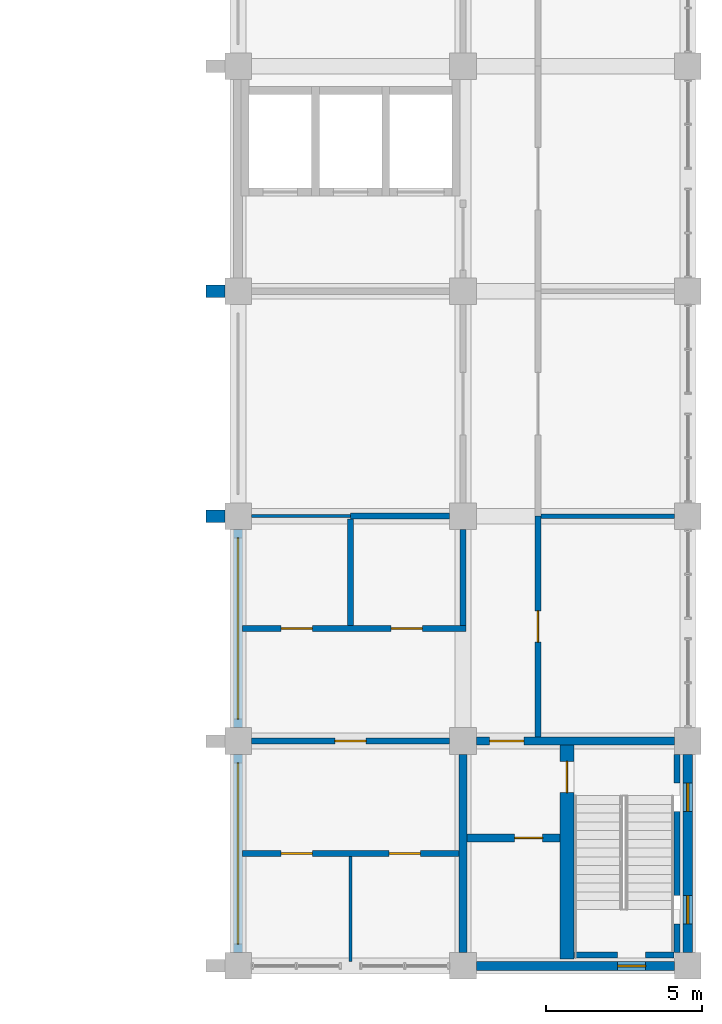
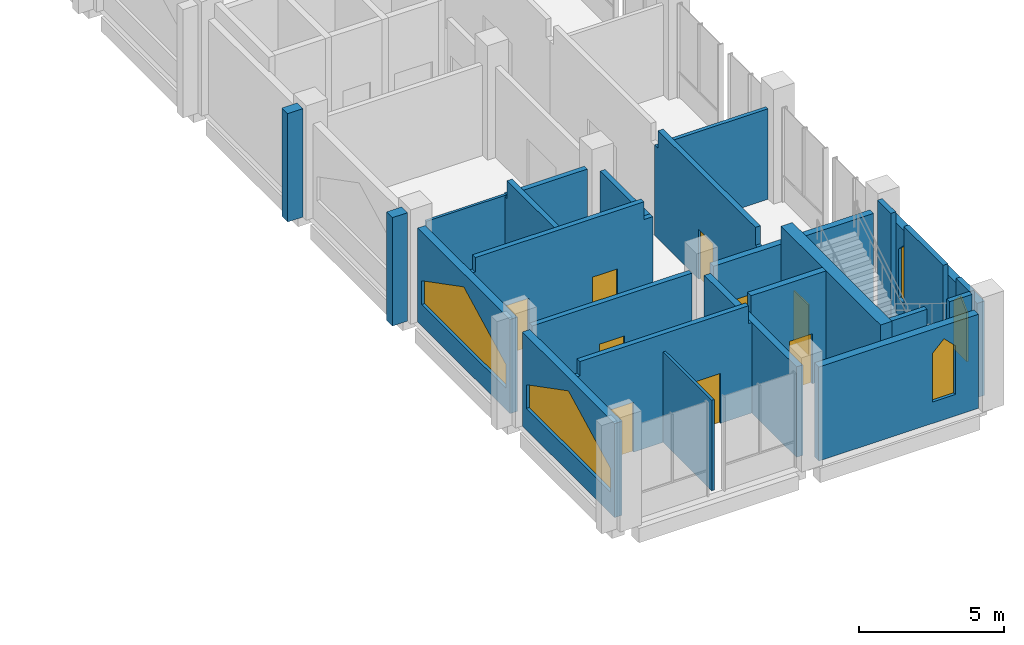
# One storey, part 34 of 40: 25 walls, 9 doors, 5 windows, 14 openings.
"""IFC4 building model written with IfcOpenShell, lengths in metres."""

from ifc_helpers import new_model, si_unit, direction, frame, frame_2d, origin, place, context, subcontext, project, spatial, polyline, rectangle, outline, extrude, material, layer, layer_set, type_object, element, fill, save


model = new_model("IFC4")

# Units and contexts
model_context = context("Model", 3, precision=1e-05, world=origin(), true_north=direction((0.0, 1.0)))
body_context = subcontext(model_context, "Body", "Model", "MODEL_VIEW")
ifc_project = project(units=[si_unit("LENGTHUNIT", "METRE"), si_unit("AREAUNIT", "SQUARE_METRE"), si_unit("VOLUMEUNIT", "CUBIC_METRE"), si_unit("PLANEANGLEUNIT", "RADIAN"), si_unit("MASSUNIT", "GRAM", prefix="KILO")], contexts=[model_context])

# Site, building, storey
site_placement = place(None, origin())
site = spatial("IfcSite", under=ifc_project, at=site_placement, CompositionType="ELEMENT")
building_placement = place(site_placement, origin())
building = spatial("IfcBuilding", under=site, at=building_placement, Name="Silangan Lancet Faculty of Sciences", CompositionType="ELEMENT")
storey_placement = place(building_placement, frame((0.0, 0.0, 16.800048828125)))
storey = spatial("IfcBuildingStorey", under=building, at=storey_placement, Name="L03", CompositionType="ELEMENT", Elevation=16.800048828125)

# Wall, opening, window
ifc_material_1 = material(Name="Concrete C40/50 precast", Category="concrete")
ifc_layer_1 = layer(ifc_material_1, 0.300048828125)
ifc_layer_set_1 = layer_set([ifc_layer_1], Name="Concrete C40/50 precast")
wall_type_1 = type_object("IfcWallType", Name="EW1 Precast cladding wall", PredefinedType="STANDARD", material=ifc_layer_set_1)
wall_1_placement = place(storey_placement, frame((72.0, 0.425048828125, 0.0), z_axis=(0.0, 0.0, 1.0), x_axis=(0.0, 1.0, 0.0)))
wall_1 = element("IfcWall", 1, at=wall_1_placement, inside=storey, type_object=wall_type_1, Name="EW-L03-W-EB-00", PredefinedType="STANDARD", context=body_context, shape_type="SweptSolid", body=[
    extrude(rectangle(XDim=6.349853515625, YDim=0.300048828125, at=frame_2d((3.1748046875, 0.0))), origin(), (0.0, 0.0, 1.0), 3.949951171875),
])
opening_1_placement = place(wall_1_placement, frame((0.27490234375, 0.0, 0.89990234375)))
opening_1 = element("IfcOpeningElement", 2, at=opening_1_placement, cuts=wall_1, Name="Opening W15", PredefinedType="OPENING", context=body_context, shape_type="SweptSolid", body=[
    extrude(outline(polyline([(0.0, 0.0), (5.800048828125, 0.0), (5.800048828125, 1.0), (2.89990234375, 2.5), (0.0, 1.0), (0.0, 0.0)])), frame((0.0, 0.159912109375, 0.0), z_axis=(0.0, -1.0, 0.0), x_axis=(1.0, 0.0, 0.0)), (0.0, 0.0, 1.0), 0.320068359375),
])
ifc_material_2 = material(Name="Aluminium frame, laminated double glazing", Category="aluminium")
window_type_1 = type_object("IfcWindowType", Name="W15 Traceried bay window 5800 x 2500", PartitioningType="TRIPLE_PANEL_VERTICAL", PredefinedType="WINDOW", material=ifc_material_2)
window_1_placement = place(opening_1_placement, origin())
window_1 = element("IfcWindow", 3, at=window_1_placement, inside=storey, type_object=window_type_1, Name="WIN-L03-W-EB-00a", OverallHeight=2.5, OverallWidth=5.800048828125, PartitioningType="TRIPLE_PANEL_VERTICAL", PredefinedType="WINDOW", context=body_context, shape_type="SweptSolid", body=[
    extrude(outline(polyline([(0.0, 0.0), (5.800048828125, 0.0), (5.800048828125, 1.0), (2.89990234375, 2.5), (0.0, 1.0), (0.0, 0.0)])), frame((0.0, 0.030029296875, 0.0), z_axis=(0.0, -1.0, 0.0), x_axis=(1.0, 0.0, 0.0)), (0.0, 0.0, 1.0), 0.06005859375),
])
fill(opening_1, window_1)

wall_2_placement = place(storey_placement, frame((72.0, 7.625, 0.0), z_axis=(0.0, 0.0, 1.0), x_axis=(0.0, 1.0, 0.0)))
wall_2 = element("IfcWall", 4, at=wall_2_placement, inside=storey, type_object=wall_type_1, Name="EW-L03-W-EB-01", PredefinedType="STANDARD", context=body_context, shape_type="SweptSolid", body=[
    extrude(rectangle(XDim=6.35009765625, YDim=0.300048828125, at=frame_2d((3.175048828125, 0.0))), origin(), (0.0, 0.0, 1.0), 3.949951171875),
])
opening_2_placement = place(wall_2_placement, frame((0.27490234375, 0.0, 0.89990234375)))
opening_2 = element("IfcOpeningElement", 5, at=opening_2_placement, cuts=wall_2, Name="Opening W15", PredefinedType="OPENING", context=body_context, shape_type="SweptSolid", body=[
    extrude(outline(polyline([(0.0, 0.0), (5.800048828125, 0.0), (5.800048828125, 1.0), (2.89990234375, 2.5), (0.0, 1.0), (0.0, 0.0)])), frame((0.0, 0.159912109375, 0.0), z_axis=(0.0, -1.0, 0.0), x_axis=(1.0, 0.0, 0.0)), (0.0, 0.0, 1.0), 0.320068359375),
])
window_2_placement = place(opening_2_placement, origin())
window_2 = element("IfcWindow", 6, at=window_2_placement, inside=storey, type_object=window_type_1, Name="WIN-L03-W-EB-01a", OverallHeight=2.5, OverallWidth=5.800048828125, PartitioningType="TRIPLE_PANEL_VERTICAL", PredefinedType="WINDOW", context=body_context, shape_type="SweptSolid", body=[
    extrude(outline(polyline([(0.0, 0.0), (5.800048828125, 0.0), (5.800048828125, 1.0), (2.89990234375, 2.5), (0.0, 1.0), (0.0, 0.0)])), frame((0.0, 0.030029296875, 0.0), z_axis=(0.0, -1.0, 0.0), x_axis=(1.0, 0.0, 0.0)), (0.0, 0.0, 1.0), 0.06005859375),
])
fill(opening_2, window_2)

ifc_material_3 = material(Name="Concrete C40/50 precast", Category="concrete")
ifc_layer_2 = layer(ifc_material_3, 0.300048828125)
ifc_layer_set_2 = layer_set([ifc_layer_2], Name="Concrete C40/50 precast")
wall_type_2 = type_object("IfcWallType", Name="EW2 Turret enclosure wall", PredefinedType="STANDARD", material=ifc_layer_set_2)
wall_3_placement = place(storey_placement, frame((79.625, 0.0, 0.0), z_axis=(0.0, 0.0, 1.0), x_axis=(1.0, 0.0, 0.0)))
wall_3 = element("IfcWall", 7, at=wall_3_placement, inside=storey, type_object=wall_type_2, Name="EW-L03-S-EB-01", PredefinedType="STANDARD", context=body_context, shape_type="SweptSolid", body=[
    extrude(rectangle(XDim=6.35009765625, YDim=0.300048828125, at=frame_2d((3.175048828125, 0.0))), origin(), (0.0, 0.0, 1.0), 3.949951171875),
])
opening_3_placement = place(wall_3_placement, frame((4.52490234375, 0.0, 0.89990234375)))
opening_3 = element("IfcOpeningElement", 8, at=opening_3_placement, cuts=wall_3, Name="Opening W11", PredefinedType="OPENING", context=body_context, shape_type="SweptSolid", body=[
    extrude(outline(polyline([(0.0, 0.0), (0.89990234375, 0.0), (0.89990234375, 2.050048828125), (0.449951171875, 2.5), (0.0, 2.050048828125), (0.0, 0.0)])), frame((0.0, 0.159912109375, 0.0), z_axis=(0.0, -1.0, 0.0), x_axis=(1.0, 0.0, 0.0)), (0.0, 0.0, 1.0), 0.320068359375),
])
ifc_material_4 = material(Name="Aluminium frame, laminated double glazing", Category="aluminium")
window_type_2 = type_object("IfcWindowType", Name="W11 Lancet window 900 x 2500", PartitioningType="SINGLE_PANEL", PredefinedType="WINDOW", material=ifc_material_4)
window_3_placement = place(opening_3_placement, origin())
window_3 = element("IfcWindow", 9, at=window_3_placement, inside=storey, type_object=window_type_2, Name="WIN-L03-S-EB-01b", OverallHeight=2.5, OverallWidth=0.89990234375, PartitioningType="SINGLE_PANEL", PredefinedType="WINDOW", context=body_context, shape_type="SweptSolid", body=[
    extrude(outline(polyline([(0.0, 0.0), (0.89990234375, 0.0), (0.89990234375, 2.050048828125), (0.449951171875, 2.5), (0.0, 2.050048828125), (0.0, 0.0)])), frame((0.0, 0.030029296875, 0.0), z_axis=(0.0, -1.0, 0.0), x_axis=(1.0, 0.0, 0.0)), (0.0, 0.0, 1.0), 0.06005859375),
])
fill(opening_3, window_3)

# Wall, openings, windows
wall_4_placement = place(storey_placement, frame((86.39990234375, 0.425048828125, 0.0), z_axis=(0.0, 0.0, 1.0), x_axis=(0.0, 1.0, 0.0)))
wall_4 = element("IfcWall", 10, at=wall_4_placement, inside=storey, type_object=wall_type_2, Name="EW-L03-E-EB-00", PredefinedType="STANDARD", context=body_context, shape_type="SweptSolid", body=[
    extrude(rectangle(XDim=6.349853515625, YDim=0.300048828125, at=frame_2d((3.1748046875, 0.0))), origin(), (0.0, 0.0, 1.0), 3.949951171875),
])
opening_4_placement = place(wall_4_placement, frame((0.925048828125, 0.0, 0.89990234375)))
opening_4 = element("IfcOpeningElement", 11, at=opening_4_placement, cuts=wall_4, Name="Opening W11", PredefinedType="OPENING", context=body_context, shape_type="SweptSolid", body=[
    extrude(outline(polyline([(0.0, 0.0), (0.89990234375, 0.0), (0.89990234375, 2.050048828125), (0.449951171875, 2.5), (0.0, 2.050048828125), (0.0, 0.0)])), frame((0.0, 0.159912109375, 0.0), z_axis=(0.0, -1.0, 0.0), x_axis=(1.0, 0.0, 0.0)), (0.0, 0.0, 1.0), 0.320068359375),
])
opening_5_placement = place(wall_4_placement, frame((4.52490234375, 0.0, 0.89990234375)))
opening_5 = element("IfcOpeningElement", 12, at=opening_5_placement, cuts=wall_4, Name="Opening W11", PredefinedType="OPENING", context=body_context, shape_type="SweptSolid", body=[
    extrude(outline(polyline([(0.0, 0.0), (0.89990234375, 0.0), (0.89990234375, 2.050048828125), (0.449951171875, 2.5), (0.0, 2.050048828125), (0.0, 0.0)])), frame((0.0, 0.159912109375, 0.0), z_axis=(0.0, -1.0, 0.0), x_axis=(1.0, 0.0, 0.0)), (0.0, 0.0, 1.0), 0.320068359375),
])
window_4_placement = place(opening_4_placement, origin())
window_4 = element("IfcWindow", 13, at=window_4_placement, inside=storey, type_object=window_type_2, Name="WIN-L03-E-EB-00a", OverallHeight=2.5, OverallWidth=0.89990234375, PartitioningType="SINGLE_PANEL", PredefinedType="WINDOW", context=body_context, shape_type="SweptSolid", body=[
    extrude(outline(polyline([(0.0, 0.0), (0.89990234375, 0.0), (0.89990234375, 2.050048828125), (0.449951171875, 2.5), (0.0, 2.050048828125), (0.0, 0.0)])), frame((0.0, 0.030029296875, 0.0), z_axis=(0.0, -1.0, 0.0), x_axis=(1.0, 0.0, 0.0)), (0.0, 0.0, 1.0), 0.06005859375),
])
fill(opening_4, window_4)
window_5_placement = place(opening_5_placement, origin())
window_5 = element("IfcWindow", 14, at=window_5_placement, inside=storey, type_object=window_type_2, Name="WIN-L03-E-EB-00b", OverallHeight=2.5, OverallWidth=0.89990234375, PartitioningType="SINGLE_PANEL", PredefinedType="WINDOW", context=body_context, shape_type="SweptSolid", body=[
    extrude(outline(polyline([(0.0, 0.0), (0.89990234375, 0.0), (0.89990234375, 2.050048828125), (0.449951171875, 2.5), (0.0, 2.050048828125), (0.0, 0.0)])), frame((0.0, 0.030029296875, 0.0), z_axis=(0.0, -1.0, 0.0), x_axis=(1.0, 0.0, 0.0)), (0.0, 0.0, 1.0), 0.06005859375),
])
fill(opening_5, window_5)

# Walls
ifc_material_5 = material(Name="Concrete C40/50 precast", Category="concrete")
ifc_layer_3 = layer(ifc_material_5, 0.39990234375)
ifc_layer_set_3 = layer_set([ifc_layer_3], Name="Concrete C40/50 precast")
wall_type_3 = type_object("IfcWallType", Name="FN53 Buttress Fin column line stage 1 4550", PredefinedType="POLYGONAL", material=ifc_layer_set_3)
for number, where, z_axis, x_axis, name in (
    (15, (71.574951171875, 14.39990234375, 0.0), (0.0, 0.0, 1.0), (-1.0, 0.0, 0.0), "FINC-W-EB-03"),
    (16, (71.574951171875, 21.60009765625, 0.0), (0.0, 0.0, 1.0), (-1.0, 0.0, 0.0), "FINC-W-EB-04"),
):
    element("IfcWall", number, at=place(storey_placement, frame(where, z_axis=z_axis, x_axis=x_axis)), inside=storey, type_object=wall_type_3, Name=name, PredefinedType="POLYGONAL", context=body_context, shape_type="SweptSolid", body=[
        extrude(outline(polyline([(0.60009765625, 0.0), (0.60009765625, 4.550048828125), (0.0, 4.550048828125), (0.0, 0.0), (0.60009765625, 0.0)])), frame((0.0, 0.199951171875, 0.0), z_axis=(0.0, -1.0, 0.0), x_axis=(1.0, 0.0, 0.0)), (0.0, 0.0, 1.0), 0.39990234375),
    ])

# Wall, openings, doors
ifc_material_6 = material(Name="Hollow block masonry fm 7 MPa", Category="masonry")
ifc_layer_4 = layer(ifc_material_6, 0.199951171875)
ifc_layer_set_4 = layer_set([ifc_layer_4], Name="Hollow block masonry fm 7 MPa")
wall_type_4 = type_object("IfcWallType", Name="Interior wall PW1 Corridor wall CHB 200", PredefinedType="PARTITIONING", material=ifc_layer_set_4)
wall_5_placement = place(storey_placement, frame((72.14990234375, 3.60009765625, 0.0), z_axis=(0.0, 0.0, 1.0), x_axis=(1.0, 0.0, 0.0)))
wall_5 = element("IfcWall", 17, at=wall_5_placement, inside=storey, type_object=wall_type_4, Name="Corridor wall CHB 200", PredefinedType="PARTITIONING", context=body_context, shape_type="SweptSolid", body=[
    extrude(outline(polyline([(0.0, 0.0), (6.925048828125, 0.0), (6.925048828125, 3.800048828125), (6.800048828125, 3.800048828125), (6.800048828125, 4.550048828125), (0.10009765625, 4.550048828125), (0.10009765625, 3.949951171875), (0.0, 3.949951171875), (0.0, 0.0)])), frame((0.0, 0.10009765625, 0.0), z_axis=(0.0, -1.0, 0.0), x_axis=(1.0, 0.0, 0.0)), (0.0, 0.0, 1.0), 0.199951171875),
])
opening_6_placement = place(wall_5_placement, frame((1.22509765625, 0.0, 0.0)))
opening_6 = element("IfcOpeningElement", 18, at=opening_6_placement, cuts=wall_5, Name="Opening L03-035", PredefinedType="OPENING", context=body_context, shape_type="SweptSolid", body=[
    extrude(rectangle(XDim=1.0, YDim=2.10009765625, at=frame_2d((0.5, 1.050048828125))), frame((0.0, 0.10986328125, 0.0), z_axis=(0.0, -1.0, 0.0), x_axis=(1.0, 0.0, 0.0)), (0.0, 0.0, 1.0), 0.219970703125),
])
opening_7_placement = place(wall_5_placement, frame((4.6875, 0.0, 0.0)))
opening_7 = element("IfcOpeningElement", 19, at=opening_7_placement, cuts=wall_5, Name="Opening L03-036", PredefinedType="OPENING", context=body_context, shape_type="SweptSolid", body=[
    extrude(rectangle(XDim=1.0, YDim=2.10009765625, at=frame_2d((0.5, 1.050048828125))), frame((0.0, 0.10986328125, 0.0), z_axis=(0.0, -1.0, 0.0), x_axis=(1.0, 0.0, 0.0)), (0.0, 0.0, 1.0), 0.219970703125),
])
ifc_material_7 = material(Name="Steel fire door set", Category="steel")
door_type_1 = type_object("IfcDoorType", Name="Door D1 Single leaf fire door 1000 x 2100", OperationType="SINGLE_SWING_LEFT", PredefinedType="DOOR", material=ifc_material_7)
door_1_placement = place(opening_6_placement, frame((1.0, 0.0, 0.0), z_axis=(0.0, 0.0, 1.0), x_axis=(-1.0, 0.0, 0.0)))
door_1 = element("IfcDoor", 20, at=door_1_placement, inside=storey, type_object=door_type_1, Name="Single leaf fire door 1000 x 2100", OperationType="SINGLE_SWING_LEFT", OverallHeight=2.10009765625, OverallWidth=1.0, PredefinedType="DOOR", context=body_context, shape_type="SweptSolid", body=[
    extrude(rectangle(XDim=1.0, YDim=2.10009765625, at=frame_2d((0.5, 1.050048828125))), frame((0.0, 0.025146484375, 0.0), z_axis=(0.0, -1.0, 0.0), x_axis=(1.0, 0.0, 0.0)), (0.0, 0.0, 1.0), 0.050048828125),
])
fill(opening_6, door_1)
door_2_placement = place(opening_7_placement, frame((1.0, 0.0, 0.0), z_axis=(0.0, 0.0, 1.0), x_axis=(-1.0, 0.0, 0.0)))
door_2 = element("IfcDoor", 21, at=door_2_placement, inside=storey, type_object=door_type_1, Name="Single leaf fire door 1000 x 2100", OperationType="SINGLE_SWING_RIGHT", OverallHeight=2.10009765625, OverallWidth=1.0, PredefinedType="DOOR", context=body_context, shape_type="SweptSolid", body=[
    extrude(rectangle(XDim=1.0, YDim=2.10009765625, at=frame_2d((0.5, 1.050048828125))), frame((0.0, 0.025146484375, 0.0), z_axis=(0.0, -1.0, 0.0), x_axis=(1.0, 0.0, 0.0)), (0.0, 0.0, 1.0), 0.050048828125),
])
fill(opening_7, door_2)

# Wall, opening, door
wall_6_placement = place(storey_placement, frame((72.425048828125, 7.199951171875, 0.0), z_axis=(0.0, 0.0, 1.0), x_axis=(1.0, 0.0, 0.0)))
wall_6 = element("IfcWall", 22, at=wall_6_placement, inside=storey, type_object=wall_type_4, Name="Corridor wall CHB 200", PredefinedType="PARTITIONING", context=body_context, shape_type="SweptSolid", body=[
    extrude(rectangle(XDim=6.349853515625, YDim=0.199951171875, at=frame_2d((3.1748046875, 0.0))), origin(), (0.0, 0.0, 1.0), 3.800048828125),
])
opening_8_placement = place(wall_6_placement, frame((2.675048828125, 0.0, 0.0)))
opening_8 = element("IfcOpeningElement", 23, at=opening_8_placement, cuts=wall_6, Name="Opening L03-008", PredefinedType="OPENING", context=body_context, shape_type="SweptSolid", body=[
    extrude(rectangle(XDim=1.0, YDim=2.10009765625, at=frame_2d((0.5, 1.050048828125))), frame((0.0, 0.10986328125, 0.0), z_axis=(0.0, -1.0, 0.0), x_axis=(1.0, 0.0, 0.0)), (0.0, 0.0, 1.0), 0.219970703125),
])
door_3_placement = place(opening_8_placement, frame((1.0, 0.0, 0.0), z_axis=(0.0, 0.0, 1.0), x_axis=(-1.0, 0.0, 0.0)))
door_3 = element("IfcDoor", 24, at=door_3_placement, inside=storey, type_object=door_type_1, Name="Single leaf fire door 1000 x 2100", OperationType="SINGLE_SWING_RIGHT", OverallHeight=2.10009765625, OverallWidth=1.0, PredefinedType="DOOR", context=body_context, shape_type="SweptSolid", body=[
    extrude(rectangle(XDim=1.0, YDim=2.10009765625, at=frame_2d((0.5, 1.050048828125))), frame((0.0, 0.025146484375, 0.0), z_axis=(0.0, -1.0, 0.0), x_axis=(1.0, 0.0, 0.0)), (0.0, 0.0, 1.0), 0.050048828125),
])
fill(opening_8, door_3)

# Wall, openings, doors
wall_7_placement = place(storey_placement, frame((72.14990234375, 10.800048828125, 0.0), z_axis=(0.0, 0.0, 1.0), x_axis=(1.0, 0.0, 0.0)))
wall_7 = element("IfcWall", 25, at=wall_7_placement, inside=storey, type_object=wall_type_4, Name="Corridor wall CHB 200", PredefinedType="PARTITIONING", context=body_context, shape_type="SweptSolid", body=[
    extrude(outline(polyline([(0.0, 0.0), (7.150146484375, 0.0), (7.150146484375, 3.800048828125), (6.800048828125, 3.800048828125), (6.800048828125, 4.550048828125), (0.10009765625, 4.550048828125), (0.10009765625, 3.949951171875), (0.0, 3.949951171875), (0.0, 0.0)])), frame((0.0, 0.10009765625, 0.0), z_axis=(0.0, -1.0, 0.0), x_axis=(1.0, 0.0, 0.0)), (0.0, 0.0, 1.0), 0.199951171875),
])
opening_9_placement = place(wall_7_placement, frame((1.22509765625, 0.0, 0.0)))
opening_9 = element("IfcOpeningElement", 26, at=opening_9_placement, cuts=wall_7, Name="Opening L03-037", PredefinedType="OPENING", context=body_context, shape_type="SweptSolid", body=[
    extrude(rectangle(XDim=1.0, YDim=2.10009765625, at=frame_2d((0.5, 1.050048828125))), frame((0.0, 0.10986328125, 0.0), z_axis=(0.0, -1.0, 0.0), x_axis=(1.0, 0.0, 0.0)), (0.0, 0.0, 1.0), 0.219970703125),
])
opening_10_placement = place(wall_7_placement, frame((4.75, 0.0, 0.0)))
opening_10 = element("IfcOpeningElement", 27, at=opening_10_placement, cuts=wall_7, Name="Opening L03-038", PredefinedType="OPENING", context=body_context, shape_type="SweptSolid", body=[
    extrude(rectangle(XDim=1.0, YDim=2.10009765625, at=frame_2d((0.5, 1.050048828125))), frame((0.0, 0.10986328125, 0.0), z_axis=(0.0, -1.0, 0.0), x_axis=(1.0, 0.0, 0.0)), (0.0, 0.0, 1.0), 0.219970703125),
])
door_4_placement = place(opening_9_placement, origin())
door_4 = element("IfcDoor", 28, at=door_4_placement, inside=storey, type_object=door_type_1, Name="Single leaf fire door 1000 x 2100", OperationType="SINGLE_SWING_RIGHT", OverallHeight=2.10009765625, OverallWidth=1.0, PredefinedType="DOOR", context=body_context, shape_type="SweptSolid", body=[
    extrude(rectangle(XDim=1.0, YDim=2.10009765625, at=frame_2d((0.5, 1.050048828125))), frame((0.0, 0.02490234375, 0.0), z_axis=(0.0, -1.0, 0.0), x_axis=(1.0, 0.0, 0.0)), (0.0, 0.0, 1.0), 0.050048828125),
])
fill(opening_9, door_4)
door_5_placement = place(opening_10_placement, origin())
door_5 = element("IfcDoor", 29, at=door_5_placement, inside=storey, type_object=door_type_1, Name="Single leaf fire door 1000 x 2100", OperationType="SINGLE_SWING_LEFT", OverallHeight=2.10009765625, OverallWidth=1.0, PredefinedType="DOOR", context=body_context, shape_type="SweptSolid", body=[
    extrude(rectangle(XDim=1.0, YDim=2.10009765625, at=frame_2d((0.5, 1.050048828125))), frame((0.0, 0.02490234375, 0.0), z_axis=(0.0, -1.0, 0.0), x_axis=(1.0, 0.0, 0.0)), (0.0, 0.0, 1.0), 0.050048828125),
])
fill(opening_10, door_5)

# Wall
wall_8_placement = place(storey_placement, frame((79.199951171875, 10.89990234375, 0.0), z_axis=(0.0, 0.0, 1.0), x_axis=(0.0, 1.0, 0.0)))
element("IfcWall", 30, at=wall_8_placement, inside=storey, type_object=wall_type_4, Name="Corridor wall CHB 200", PredefinedType="PARTITIONING", context=body_context, shape_type="SweptSolid", body=[
    extrude(rectangle(XDim=3.0751953125, YDim=0.199951171875, at=frame_2d((1.53759765625, 0.0))), origin(), (0.0, 0.0, 1.0), 3.800048828125),
])

# Wall, opening, door
wall_9_placement = place(storey_placement, frame((81.60009765625, 7.324951171875, 0.0), z_axis=(0.0, 0.0, 1.0), x_axis=(0.0, 1.0, 0.0)))
wall_9 = element("IfcWall", 31, at=wall_9_placement, inside=storey, type_object=wall_type_4, Name="Corridor wall CHB 200", PredefinedType="PARTITIONING", context=body_context, shape_type="SweptSolid", body=[
    extrude(outline(polyline([(0.0, 0.0), (7.074951171875, 0.0), (7.074951171875, 3.800048828125), (6.824951171875, 3.800048828125), (6.824951171875, 4.550048828125), (0.125, 4.550048828125), (0.125, 3.800048828125), (0.0, 3.800048828125), (0.0, 0.0)])), frame((0.0, 0.10009765625, 0.0), z_axis=(0.0, -1.0, 0.0), x_axis=(1.0, 0.0, 0.0)), (0.0, 0.0, 1.0), 0.199951171875),
])
opening_11_placement = place(wall_9_placement, frame((3.037353515625, 0.0, 0.0)))
opening_11 = element("IfcOpeningElement", 32, at=opening_11_placement, cuts=wall_9, Name="Opening L03-044", PredefinedType="OPENING", context=body_context, shape_type="SweptSolid", body=[
    extrude(rectangle(XDim=1.0, YDim=2.10009765625, at=frame_2d((0.5, 1.050048828125))), frame((0.0, 0.10986328125, 0.0), z_axis=(0.0, -1.0, 0.0), x_axis=(1.0, 0.0, 0.0)), (0.0, 0.0, 1.0), 0.219970703125),
])
door_6_placement = place(opening_11_placement, frame((1.0, 0.0, 0.0), z_axis=(0.0, 0.0, 1.0), x_axis=(-1.0, 0.0, 0.0)))
door_6 = element("IfcDoor", 33, at=door_6_placement, inside=storey, type_object=door_type_1, Name="Single leaf fire door 1000 x 2100", OperationType="SINGLE_SWING_RIGHT", OverallHeight=2.10009765625, OverallWidth=1.0, PredefinedType="DOOR", context=body_context, shape_type="SweptSolid", body=[
    extrude(rectangle(XDim=1.0, YDim=2.10009765625, at=frame_2d((0.5, 1.050048828125))), frame((0.0, 0.025146484375, 0.0), z_axis=(0.0, -1.0, 0.0), x_axis=(1.0, 0.0, 0.0)), (0.0, 0.0, 1.0), 0.050048828125),
])
fill(opening_11, door_6)

# Walls
ifc_material_8 = material(Name="Hollow block masonry fm 7 MPa", Category="masonry")
ifc_layer_5 = layer(ifc_material_8, 0.14990234375)
ifc_layer_set_5 = layer_set([ifc_layer_5], Name="Hollow block masonry fm 7 MPa")
wall_type_5 = type_object("IfcWallType", Name="Interior wall PW3 Partition CHB 150", PredefinedType="PARTITIONING", material=ifc_layer_set_5)
wall_10_placement = place(storey_placement, frame((81.699951171875, 14.39990234375, 0.0), z_axis=(0.0, 0.0, 1.0), x_axis=(1.0, 0.0, 0.0)))
element("IfcWall", 34, at=wall_10_placement, inside=storey, type_object=wall_type_5, Name="Partition CHB 150", PredefinedType="PARTITIONING", context=body_context, shape_type="SweptSolid", body=[
    extrude(rectangle(XDim=4.275146484375, YDim=0.14990234375, at=frame_2d((2.1376953125, 0.0))), origin(), (0.0, 0.0, 1.0), 3.800048828125),
])
ifc_material_9 = material(Name="Hollow block masonry fm 7 MPa", Category="masonry")
ifc_layer_6 = layer(ifc_material_9, 0.199951171875)
ifc_layer_set_6 = layer_set([ifc_layer_6], Name="Hollow block masonry fm 7 MPa")
wall_type_6 = type_object("IfcWallType", Name="Interior wall PW4 Laboratory separation CHB 200", PredefinedType="PARTITIONING", material=ifc_layer_set_6)
wall_11_placement = place(storey_placement, frame((75.60009765625, 14.39990234375, 0.0), z_axis=(0.0, 0.0, 1.0), x_axis=(1.0, 0.0, 0.0)))
element("IfcWall", 35, at=wall_11_placement, inside=storey, type_object=wall_type_6, Name="Laboratory separation CHB 200", PredefinedType="PARTITIONING", context=body_context, shape_type="SweptSolid", body=[
    extrude(rectangle(XDim=3.1748046875, YDim=0.199951171875, at=frame_2d((1.58740234375, 0.0))), origin(), (0.0, 0.0, 1.0), 3.800048828125),
])
wall_12_placement = place(storey_placement, frame((75.60009765625, 10.89990234375, 0.0), z_axis=(0.0, 0.0, 1.0), x_axis=(0.0, 1.0, 0.0)))
element("IfcWall", 36, at=wall_12_placement, inside=storey, type_object=wall_type_6, Name="Laboratory separation CHB 200", PredefinedType="PARTITIONING", context=body_context, shape_type="SweptSolid", body=[
    extrude(outline(polyline([(0.0, 0.0), (3.400146484375, 0.0), (3.400146484375, 3.800048828125), (3.25, 3.800048828125), (3.25, 4.550048828125), (0.0, 4.550048828125), (0.0, 0.0)])), frame((0.0, 0.10009765625, 0.0), z_axis=(0.0, -1.0, 0.0), x_axis=(1.0, 0.0, 0.0)), (0.0, 0.0, 1.0), 0.199951171875),
])
ifc_material_10 = material(Name="Hollow block masonry fm 7 MPa", Category="masonry")
ifc_layer_7 = layer(ifc_material_10, 0.10009765625)
ifc_layer_set_7 = layer_set([ifc_layer_7], Name="Hollow block masonry fm 7 MPa")
wall_type_7 = type_object("IfcWallType", Name="Interior wall PW8 WC partition CHB 100", PredefinedType="PARTITIONING", material=ifc_layer_set_7)
wall_13_placement = place(storey_placement, frame((72.425048828125, 14.39990234375, 0.0), z_axis=(0.0, 0.0, 1.0), x_axis=(1.0, 0.0, 0.0)))
element("IfcWall", 37, at=wall_13_placement, inside=storey, type_object=wall_type_7, Name="WC partition CHB 100", PredefinedType="PARTITIONING", context=body_context, shape_type="SweptSolid", body=[
    extrude(rectangle(XDim=3.175048828125, YDim=0.10009765625, at=frame_2d((1.58740234375, 0.0))), origin(), (0.0, 0.0, 1.0), 3.800048828125),
])
wall_14_placement = place(storey_placement, frame((75.60009765625, 0.14990234375, 0.0), z_axis=(0.0, 0.0, 1.0), x_axis=(0.0, 1.0, 0.0)))
element("IfcWall", 38, at=wall_14_placement, inside=storey, type_object=wall_type_7, Name="WC partition CHB 100", PredefinedType="PARTITIONING", context=body_context, shape_type="SweptSolid", body=[
    extrude(rectangle(XDim=3.35009765625, YDim=0.10009765625, at=frame_2d((1.675048828125, 0.0))), origin(), (0.0, 0.0, 1.0), 3.800048828125),
])

# Wall, opening, door
ifc_material_11 = material(Name="Concrete C40/50", Category="concrete")
ifc_layer_8 = layer(ifc_material_11, 0.449951171875)
ifc_layer_set_8 = layer_set([ifc_layer_8], Name="Concrete C40/50")
wall_type_8 = type_object("IfcWallType", Name="TURRET CORE WALL RC 450", PredefinedType="SHEAR", material=ifc_layer_set_8)
wall_15_placement = place(storey_placement, frame((82.52490234375, 0.22509765625, 0.0), z_axis=(0.0, 0.0, 1.0), x_axis=(0.0, 1.0, 0.0)))
wall_15 = element("IfcWall", 39, at=wall_15_placement, inside=storey, type_object=wall_type_8, Name="WALL-L03-EB-A-WELL", PredefinedType="SHEAR", context=body_context, shape_type="SweptSolid", body=[
    extrude(rectangle(XDim=6.849853515625, YDim=0.449951171875, at=frame_2d((3.4248046875, 0.0))), origin(), (0.0, 0.0, 1.0), 4.550048828125),
])
opening_12_placement = place(wall_15_placement, frame((5.324951171875, 0.0, 0.0)))
opening_12 = element("IfcOpeningElement", 40, at=opening_12_placement, cuts=wall_15, Name="Opening L03-701", PredefinedType="OPENING", context=body_context, shape_type="SweptSolid", body=[
    extrude(rectangle(XDim=1.0, YDim=2.10009765625, at=frame_2d((0.5, 1.050048828125))), frame((0.0, 0.23486328125, 0.0), z_axis=(0.0, -1.0, 0.0), x_axis=(1.0, 0.0, 0.0)), (0.0, 0.0, 1.0), 0.469970703125),
])
ifc_material_12 = material(Name="Steel fire door set", Category="steel")
door_type_2 = type_object("IfcDoorType", Name="D71 Stair enclosure door 1000x2100", OperationType="SINGLE_SWING_LEFT", PredefinedType="DOOR", material=ifc_material_12)
door_7_placement = place(opening_12_placement, frame((1.0, 0.0, 0.0), z_axis=(0.0, 0.0, 1.0), x_axis=(-1.0, 0.0, 0.0)))
door_7 = element("IfcDoor", 41, at=door_7_placement, inside=storey, type_object=door_type_2, Name="Stair enclosure door EB-A L03", OperationType="SINGLE_SWING_LEFT", OverallHeight=2.10009765625, OverallWidth=1.0, PredefinedType="DOOR", context=body_context, shape_type="SweptSolid", body=[
    extrude(rectangle(XDim=1.0, YDim=2.10009765625, at=frame_2d((0.5, 1.050048828125))), frame((0.0, 0.025146484375, 0.0), z_axis=(0.0, -1.0, 0.0), x_axis=(1.0, 0.0, 0.0)), (0.0, 0.0, 1.0), 0.050048828125),
])
fill(opening_12, door_7)

# Walls
ifc_material_13 = material(Name="Concrete C40/50", Category="concrete")
ifc_layer_9 = layer(ifc_material_13, 0.199951171875)
ifc_layer_set_9 = layer_set([ifc_layer_9], Name="Concrete C40/50")
wall_type_9 = type_object("IfcWallType", Name="TURRET LINING WALL RC 200", PredefinedType="SHEAR", material=ifc_layer_set_9)
wall_16_placement = place(storey_placement, frame((86.050048828125, 0.425048828125, -0.25), z_axis=(0.0, 0.0, 1.0), x_axis=(0.0, 1.0, 0.0)))
element("IfcWall", 42, at=wall_16_placement, inside=storey, type_object=wall_type_9, Name="WALL-L03-EB-A-WL", PredefinedType="SHEAR", context=body_context, shape_type="SweptSolid", body=[
    extrude(rectangle(XDim=0.925048828125, YDim=0.199951171875, at=frame_2d((0.46240234375, 0.0))), origin(), (0.0, 0.0, 1.0), 4.800048828125),
])
wall_17_placement = place(storey_placement, frame((86.050048828125, 2.25, -0.25), z_axis=(0.0, 0.0, 1.0), x_axis=(0.0, 1.0, 0.0)))
element("IfcWall", 43, at=wall_17_placement, inside=storey, type_object=wall_type_9, Name="WALL-L03-EB-A-WL-2", PredefinedType="SHEAR", context=body_context, shape_type="SweptSolid", body=[
    extrude(rectangle(XDim=2.699951171875, YDim=0.199951171875, at=frame_2d((1.35009765625, 0.0))), origin(), (0.0, 0.0, 1.0), 4.800048828125),
])
wall_18_placement = place(storey_placement, frame((86.050048828125, 5.85009765625, -0.25), z_axis=(0.0, 0.0, 1.0), x_axis=(0.0, 1.0, 0.0)))
element("IfcWall", 44, at=wall_18_placement, inside=storey, type_object=wall_type_9, Name="WALL-L03-EB-A-WL-3", PredefinedType="SHEAR", context=body_context, shape_type="SweptSolid", body=[
    extrude(rectangle(XDim=0.9248046875, YDim=0.199951171875, at=frame_2d((0.46240234375, 0.0))), origin(), (0.0, 0.0, 1.0), 4.800048828125),
])
wall_19_placement = place(storey_placement, frame((82.75, 0.35009765625, -0.25), z_axis=(0.0, 0.0, 1.0), x_axis=(1.0, 0.0, 0.0)))
element("IfcWall", 45, at=wall_19_placement, inside=storey, type_object=wall_type_9, Name="WALL-L03-EB-A-WLD", PredefinedType="SHEAR", context=body_context, shape_type="SweptSolid", body=[
    extrude(rectangle(XDim=1.39990234375, YDim=0.199951171875, at=frame_2d((0.699951171875, 0.0))), origin(), (0.0, 0.0, 1.0), 4.800048828125),
])
wall_20_placement = place(storey_placement, frame((85.050048828125, 0.35009765625, -0.25), z_axis=(0.0, 0.0, 1.0), x_axis=(1.0, 0.0, 0.0)))
element("IfcWall", 46, at=wall_20_placement, inside=storey, type_object=wall_type_9, Name="WALL-L03-EB-A-WLD-2", PredefinedType="SHEAR", context=body_context, shape_type="SweptSolid", body=[
    extrude(rectangle(XDim=0.89990234375, YDim=0.199951171875, at=frame_2d((0.449951171875, 0.0))), origin(), (0.0, 0.0, 1.0), 4.800048828125),
])

# Wall, opening, door
ifc_material_14 = material(Name="Concrete C40/50", Category="concrete")
ifc_layer_10 = layer(ifc_material_14, 0.25)
ifc_layer_set_10 = layer_set([ifc_layer_10], Name="Concrete C40/50")
wall_type_10 = type_object("IfcWallType", Name="TURRET WALL RC 250", PredefinedType="SHEAR", material=ifc_layer_set_10)
wall_21_placement = place(storey_placement, frame((79.625, 7.199951171875, 0.0), z_axis=(0.0, 0.0, 1.0), x_axis=(1.0, 0.0, 0.0)))
wall_21 = element("IfcWall", 47, at=wall_21_placement, inside=storey, type_object=wall_type_10, Name="WALL-L03-EB-A-V", PredefinedType="SHEAR", context=body_context, shape_type="SweptSolid", body=[
    extrude(rectangle(XDim=6.35009765625, YDim=0.25, at=frame_2d((3.175048828125, 0.0))), origin(), (0.0, 0.0, 1.0), 3.800048828125),
])
opening_13_placement = place(wall_21_placement, frame((0.425048828125, 0.0, 0.0)))
opening_13 = element("IfcOpeningElement", 48, at=opening_13_placement, cuts=wall_21, Name="Opening L03-702", PredefinedType="OPENING", context=body_context, shape_type="SweptSolid", body=[
    extrude(rectangle(XDim=1.10009765625, YDim=2.10009765625, at=frame_2d((0.550048828125, 1.050048828125))), frame((0.0, 0.135009765625, 0.0), z_axis=(0.0, -1.0, 0.0), x_axis=(1.0, 0.0, 0.0)), (0.0, 0.0, 1.0), 0.27001953125),
])
ifc_material_15 = material(Name="Steel fire door set", Category="steel")
door_type_3 = type_object("IfcDoorType", Name="D70 Stair vestibule door 1100x2100", OperationType="SINGLE_SWING_LEFT", PredefinedType="DOOR", material=ifc_material_15)
door_8_placement = place(opening_13_placement, frame((1.10009765625, 0.0, 0.0), z_axis=(0.0, 0.0, 1.0), x_axis=(-1.0, 0.0, 0.0)))
door_8 = element("IfcDoor", 49, at=door_8_placement, inside=storey, type_object=door_type_3, Name="Stair vestibule door EB-A L03", OperationType="SINGLE_SWING_RIGHT", OverallHeight=2.10009765625, OverallWidth=1.10009765625, PredefinedType="DOOR", context=body_context, shape_type="SweptSolid", body=[
    extrude(rectangle(XDim=1.10009765625, YDim=2.10009765625, at=frame_2d((0.550048828125, 1.050048828125))), frame((0.0, 0.025146484375, 0.0), z_axis=(0.0, -1.0, 0.0), x_axis=(1.0, 0.0, 0.0)), (0.0, 0.0, 1.0), 0.050048828125),
])
fill(opening_13, door_8)

# Wall
wall_22_placement = place(storey_placement, frame((79.199951171875, 0.425048828125, 0.0), z_axis=(0.0, 0.0, 1.0), x_axis=(0.0, 1.0, 0.0)))
element("IfcWall", 50, at=wall_22_placement, inside=storey, type_object=wall_type_10, Name="WALL-L03-EB-A-O", PredefinedType="SHEAR", context=body_context, shape_type="SweptSolid", body=[
    extrude(rectangle(XDim=6.349853515625, YDim=0.25, at=frame_2d((3.1748046875, 0.0))), origin(), (0.0, 0.0, 1.0), 3.800048828125),
])

# Wall, opening, door
wall_23_placement = place(storey_placement, frame((79.324951171875, 4.10009765625, 0.0), z_axis=(0.0, 0.0, 1.0), x_axis=(1.0, 0.0, 0.0)))
wall_23 = element("IfcWall", 51, at=wall_23_placement, inside=storey, type_object=wall_type_10, Name="WALL-L03-EB-A-RISER", PredefinedType="SHEAR", context=body_context, shape_type="SweptSolid", body=[
    extrude(rectangle(XDim=2.97509765625, YDim=0.25, at=frame_2d((1.487548828125, 0.0))), origin(), (0.0, 0.0, 1.0), 4.550048828125),
])
opening_14_placement = place(wall_23_placement, frame((1.52490234375, 0.0, 0.0)))
opening_14 = element("IfcOpeningElement", 52, at=opening_14_placement, cuts=wall_23, Name="Opening L03-703", PredefinedType="OPENING", context=body_context, shape_type="SweptSolid", body=[
    extrude(rectangle(XDim=0.89990234375, YDim=2.10009765625, at=frame_2d((0.449951171875, 1.050048828125))), frame((0.0, 0.135009765625, 0.0), z_axis=(0.0, -1.0, 0.0), x_axis=(1.0, 0.0, 0.0)), (0.0, 0.0, 1.0), 0.27001953125),
])
ifc_material_16 = material(Name="Steel fire door set", Category="steel")
door_type_4 = type_object("IfcDoorType", Name="D72 Riser access door 900x2100", OperationType="SINGLE_SWING_LEFT", PredefinedType="DOOR", material=ifc_material_16)
door_9_placement = place(opening_14_placement, frame((0.89990234375, 0.0, 0.0), z_axis=(0.0, 0.0, 1.0), x_axis=(-1.0, 0.0, 0.0)))
door_9 = element("IfcDoor", 53, at=door_9_placement, inside=storey, type_object=door_type_4, Name="Riser access door EB-A L03", OperationType="SINGLE_SWING_RIGHT", OverallHeight=2.10009765625, OverallWidth=0.89990234375, PredefinedType="DOOR", context=body_context, shape_type="SweptSolid", body=[
    extrude(rectangle(XDim=0.89990234375, YDim=2.10009765625, at=frame_2d((0.449951171875, 1.050048828125))), frame((0.0, 0.025146484375, 0.0), z_axis=(0.0, -1.0, 0.0), x_axis=(1.0, 0.0, 0.0)), (0.0, 0.0, 1.0), 0.050048828125),
])
fill(opening_14, door_9)

save(model, "model.ifc")
